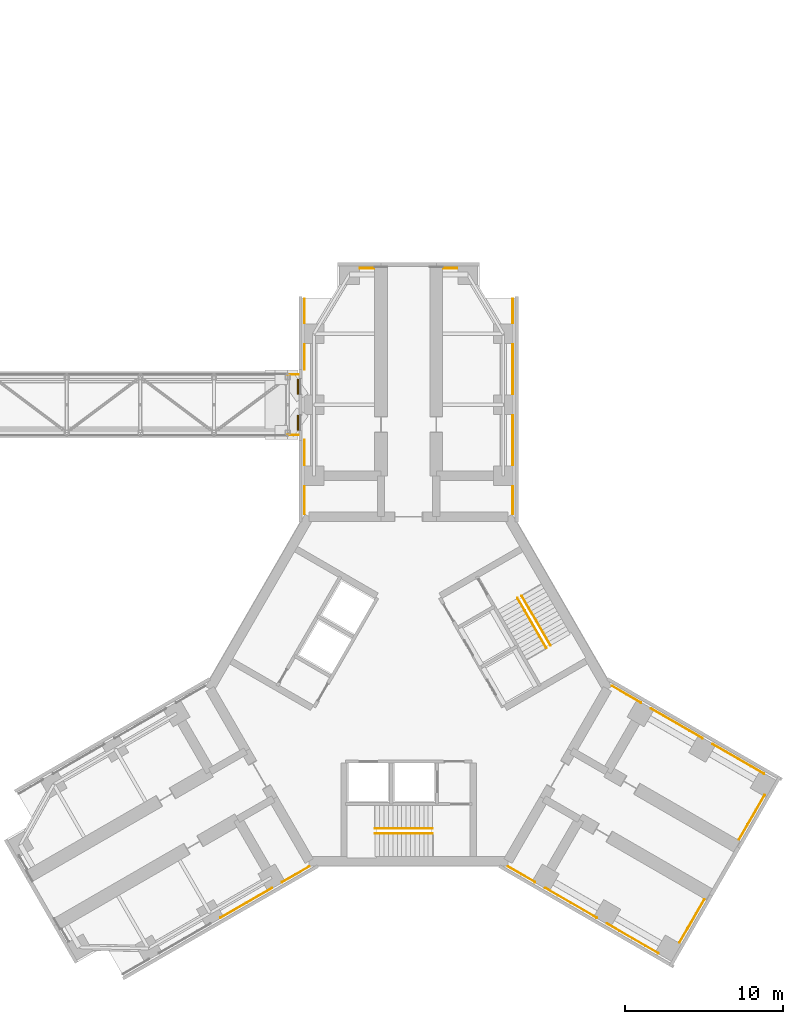
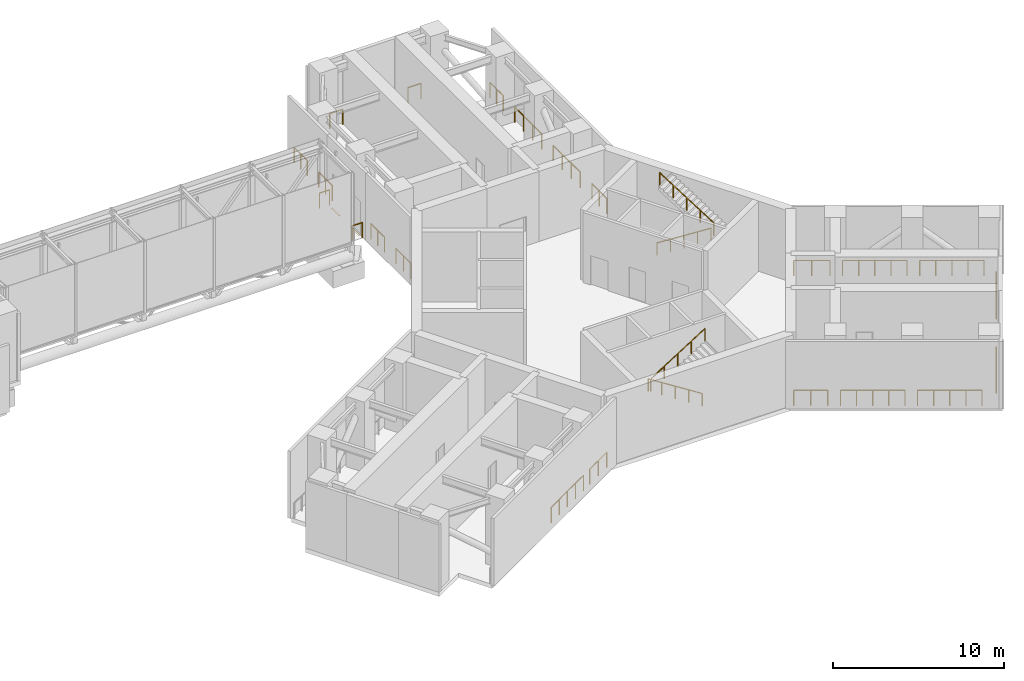
# One storey, part 15 of 15: 26 railings, 2 coverings.
"""IFC4 building model written with IfcOpenShell, lengths in metres."""

from ifc_helpers import new_model, si_unit, direction, frame, origin, origin_2d, place, context, subcontext, project, spatial, rectangle, circle, extrude, material, layer, layer_set, type_object, element, save


model = new_model("IFC4")

# Units and contexts
model_context = context("Model", 3, precision=1e-05, world=origin(), true_north=direction((0.0, 1.0)))
body_context = subcontext(model_context, "Body", "Model", "MODEL_VIEW")
ifc_project = project(units=[si_unit("LENGTHUNIT", "METRE"), si_unit("AREAUNIT", "SQUARE_METRE"), si_unit("VOLUMEUNIT", "CUBIC_METRE"), si_unit("PLANEANGLEUNIT", "RADIAN"), si_unit("MASSUNIT", "GRAM", prefix="KILO")], contexts=[model_context])

# Site, building, storey
site_placement = place(None, origin())
site = spatial("IfcSite", under=ifc_project, at=site_placement, CompositionType="ELEMENT")
building_placement = place(site_placement, origin())
building = spatial("IfcBuilding", under=site, at=building_placement, Name="Upepo Twin Towers", CompositionType="ELEMENT")
storey_placement = place(building_placement, frame((0.0, 0.0, 165.5)))
storey = spatial("IfcBuildingStorey", under=building, at=storey_placement, Name="L40", CompositionType="ELEMENT", Elevation=165.5)

# Coverings
ifc_material_1 = material(Name="Stainless steel 1.4401", Category="steel")
ifc_layer = layer(ifc_material_1, 0.02001953125)
ifc_layer_set = layer_set([ifc_layer], Name="Expansion joint sill plate 20 stainless steel")
covering_type = type_object("IfcCoveringType", Name="Expansion joint sill plate 20 stainless steel", PredefinedType="FLOORING", material=ifc_layer_set)
for number, where, z_axis, x_axis, name in (
    (1, (51.49755859375, -1.14990234375, -0.02001953125), (0.0, 0.0, 1.0), (1.0, 0.0, 0.0), "BR2 movement joint sill plate 1 at T2"),
    (2, (51.49755859375, 1.14990234375, -0.02001953125), (0.0, 0.0, 1.0), (1.0, 0.0, 0.0), "BR2 movement joint sill plate 2 at T2"),
):
    element("IfcCovering", number, at=place(storey_placement, frame(where, z_axis=z_axis, x_axis=x_axis)), inside=storey, type_object=covering_type, Name=name, PredefinedType="FLOORING", context=body_context, shape_type="SweptSolid", body=[
        extrude(rectangle(XDim=0.10498046875, YDim=0.949951171875, at=origin_2d()), origin(), (0.0, 0.0, 1.0), 0.02001953125),
    ])

# Railings
ifc_material_2 = material(Name="Stainless steel and glass", Category="steel")
railing_type_1 = type_object("IfcRailingType", Name="Guard 1100", PredefinedType="GUARDRAIL", material=ifc_material_2)
railing_1_placement = place(storey_placement, frame((51.89990234375, -6.914794921875, 0.0)))
element("IfcRailing", 3, at=railing_1_placement, inside=storey, type_object=railing_type_1, Name="T2 L40 open floor guard", PredefinedType="GUARDRAIL", context=body_context, shape_type="SweptSolid", body=[
    extrude(circle(Radius=0.02392578125, at=origin_2d()), frame((0.0, 0.0, 1.076171875), z_axis=(0.0, 1.0, 0.0), x_axis=(-1.0, 0.0, 0.0)), (0.0, 0.0, 1.0), 1.73974609375),
    extrude(circle(Radius=0.02099609375, at=origin_2d()), origin(), (0.0, 0.0, 1.0), 1.052001953125),
    extrude(circle(Radius=0.02099609375, at=origin_2d()), frame((0.0, 0.869873046875, 0.0)), (0.0, 0.0, 1.0), 1.052001953125),
    extrude(circle(Radius=0.02099609375, at=origin_2d()), frame((0.0, 1.73974609375, 0.0)), (0.0, 0.0, 1.0), 1.052001953125),
])
for number, where, name in (
    (4, (51.89990234375, -3.824951171875, 0.0), "T2 L40 open floor guard"),
    (5, (51.89990234375, 2.25, 0.0), "T2 L40 open floor guard"),
):
    element("IfcRailing", number, at=place(storey_placement, frame(where)), inside=storey, type_object=railing_type_1, Name=name, PredefinedType="GUARDRAIL", context=body_context, shape_type="SweptSolid", body=[
        extrude(circle(Radius=0.02392578125, at=origin_2d()), frame((0.0, 0.0, 1.076171875), z_axis=(0.0, 1.0, 0.0), x_axis=(-1.0, 0.0, 0.0)), (0.0, 0.0, 1.0), 1.574951171875),
        extrude(circle(Radius=0.02099609375, at=origin_2d()), origin(), (0.0, 0.0, 1.0), 1.052001953125),
        extrude(circle(Radius=0.02099609375, at=origin_2d()), frame((0.0, 0.78759765625, 0.0)), (0.0, 0.0, 1.0), 1.052001953125),
        extrude(circle(Radius=0.02099609375, at=origin_2d()), frame((0.0, 1.574951171875, 0.0)), (0.0, 0.0, 1.0), 1.052001953125),
    ])
railing_2_placement = place(storey_placement, frame((51.89990234375, 5.175048828125, 0.0)))
element("IfcRailing", 6, at=railing_2_placement, inside=storey, type_object=railing_type_1, Name="T2 L40 open floor guard", PredefinedType="GUARDRAIL", context=body_context, shape_type="SweptSolid", body=[
    extrude(circle(Radius=0.02392578125, at=origin_2d()), frame((0.0, 0.0, 1.076171875), z_axis=(0.0, 1.0, 0.0), x_axis=(-1.0, 0.0, 0.0)), (0.0, 0.0, 1.0), 1.52490234375),
    extrude(circle(Radius=0.02099609375, at=origin_2d()), origin(), (0.0, 0.0, 1.0), 1.052001953125),
    extrude(circle(Radius=0.02099609375, at=origin_2d()), frame((0.0, 0.762451171875, 0.0)), (0.0, 0.0, 1.0), 1.052001953125),
    extrude(circle(Radius=0.02099609375, at=origin_2d()), frame((0.0, 1.52490234375, 0.0)), (0.0, 0.0, 1.0), 1.052001953125),
])
railing_3_placement = place(storey_placement, frame((65.10009765625, -5.175048828125, 0.0)))
element("IfcRailing", 7, at=railing_3_placement, inside=storey, type_object=railing_type_1, Name="T2 L40 open floor guard", PredefinedType="GUARDRAIL", context=body_context, shape_type="SweptSolid", body=[
    extrude(circle(Radius=0.02392578125, at=origin_2d()), frame((0.0, 0.0, 1.076171875), z_axis=(0.0, -1.0, 0.0), x_axis=(1.0, 0.0, 0.0)), (0.0, 0.0, 1.0), 1.73974609375),
    extrude(circle(Radius=0.02099609375, at=origin_2d()), origin(), (0.0, 0.0, 1.0), 1.052001953125),
    extrude(circle(Radius=0.02099609375, at=origin_2d()), frame((0.0, -0.869873046875, 0.0)), (0.0, 0.0, 1.0), 1.052001953125),
    extrude(circle(Radius=0.02099609375, at=origin_2d()), frame((0.0, -1.73974609375, 0.0)), (0.0, 0.0, 1.0), 1.052001953125),
])
for number, where, name in (
    (8, (65.10009765625, -0.675048828125, 0.0), "T2 L40 open floor guard"),
    (9, (65.10009765625, 3.824951171875, 0.0), "T2 L40 open floor guard"),
):
    element("IfcRailing", number, at=place(storey_placement, frame(where)), inside=storey, type_object=railing_type_1, Name=name, PredefinedType="GUARDRAIL", context=body_context, shape_type="SweptSolid", body=[
        extrude(circle(Radius=0.02392578125, at=origin_2d()), frame((0.0, 0.0, 1.076171875), z_axis=(0.0, -1.0, 0.0), x_axis=(1.0, 0.0, 0.0)), (0.0, 0.0, 1.0), 3.14990234375),
        extrude(circle(Radius=0.02099609375, at=origin_2d()), origin(), (0.0, 0.0, 1.0), 1.052001953125),
        extrude(circle(Radius=0.02099609375, at=origin_2d()), frame((0.0, -1.050048828125, 0.0)), (0.0, 0.0, 1.0), 1.052001953125),
        extrude(circle(Radius=0.02099609375, at=origin_2d()), frame((0.0, -2.099853515625, 0.0)), (0.0, 0.0, 1.0), 1.052001953125),
        extrude(circle(Radius=0.02099609375, at=origin_2d()), frame((0.0, -3.14990234375, 0.0)), (0.0, 0.0, 1.0), 1.052001953125),
    ])
railing_4_placement = place(storey_placement, frame((65.10009765625, 6.699951171875, 0.0)))
element("IfcRailing", 10, at=railing_4_placement, inside=storey, type_object=railing_type_1, Name="T2 L40 open floor guard", PredefinedType="GUARDRAIL", context=body_context, shape_type="SweptSolid", body=[
    extrude(circle(Radius=0.02392578125, at=origin_2d()), frame((0.0, 0.0, 1.076171875), z_axis=(0.0, -1.0, 0.0), x_axis=(1.0, 0.0, 0.0)), (0.0, 0.0, 1.0), 1.52490234375),
    extrude(circle(Radius=0.02099609375, at=origin_2d()), origin(), (0.0, 0.0, 1.0), 1.052001953125),
    extrude(circle(Radius=0.02099609375, at=origin_2d()), frame((0.0, -0.762451171875, 0.0)), (0.0, 0.0, 1.0), 1.052001953125),
    extrude(circle(Radius=0.02099609375, at=origin_2d()), frame((0.0, -1.52490234375, 0.0)), (0.0, 0.0, 1.0), 1.052001953125),
])
for number, where, name in (
    (11, (61.574951171875, 8.64990234375, 0.0), "T2 L40 open floor guard"),
    (12, (56.300048828125, 8.64990234375, 0.0), "T2 L40 open floor guard"),
):
    element("IfcRailing", number, at=place(storey_placement, frame(where)), inside=storey, type_object=railing_type_1, Name=name, PredefinedType="GUARDRAIL", context=body_context, shape_type="SweptSolid", body=[
        extrude(circle(Radius=0.02392578125, at=origin_2d()), frame((0.0, 0.0, 1.076171875), z_axis=(-1.0, 0.0, 0.0), x_axis=(0.0, -1.0, 0.0)), (0.0, 0.0, 1.0), 0.875),
        extrude(circle(Radius=0.02099609375, at=origin_2d()), origin(), (0.0, 0.0, 1.0), 1.052001953125),
        extrude(circle(Radius=0.02099609375, at=origin_2d()), frame((-0.875, 0.0, 0.0)), (0.0, 0.0, 1.0), 1.052001953125),
    ])
railing_5_placement = place(storey_placement, frame((49.839599609375, -30.62109375, 0.0)))
element("IfcRailing", 13, at=railing_5_placement, inside=storey, type_object=railing_type_1, Name="T2 L40 open floor guard", PredefinedType="GUARDRAIL", context=body_context, shape_type="SweptSolid", body=[
    extrude(circle(Radius=0.02392578125, at=origin_2d()), frame((0.0, 0.0, 1.076171875), z_axis=(-0.866030816627, -0.499990624564, 0.0), x_axis=(0.499990624564, -0.866030816627, 0.0)), (0.0, 0.0, 1.0), 3.75634765625),
    extrude(circle(Radius=0.02099609375, at=origin_2d()), origin(), (0.0, 0.0, 1.0), 1.052001953125),
    extrude(circle(Radius=0.02099609375, at=origin_2d()), frame((-0.813232421875, -0.469482421875, 0.0)), (0.0, 0.0, 1.0), 1.052001953125),
    extrude(circle(Radius=0.02099609375, at=origin_2d()), frame((-1.62646484375, -0.93896484375, 0.0)), (0.0, 0.0, 1.0), 1.052001953125),
    extrude(circle(Radius=0.02099609375, at=origin_2d()), frame((-2.43994140625, -1.40869140625, 0.0)), (0.0, 0.0, 1.0), 1.052001953125),
    extrude(circle(Radius=0.02099609375, at=origin_2d()), frame((-3.253173828125, -1.878173828125, 0.0)), (0.0, 0.0, 1.0), 1.052001953125),
])
railing_6_placement = place(storey_placement, frame((52.199951171875, -29.25830078125, 0.0)))
element("IfcRailing", 14, at=railing_6_placement, inside=storey, type_object=railing_type_1, Name="T2 L40 open floor guard", PredefinedType="GUARDRAIL", context=body_context, shape_type="SweptSolid", body=[
    extrude(circle(Radius=0.02392578125, at=origin_2d()), frame((0.0, 0.0, 1.076171875), z_axis=(-0.866013262469, -0.500021028785, 0.0), x_axis=(0.500021028785, -0.866013262469, 0.0)), (0.0, 0.0, 1.0), 1.98193359375),
    extrude(circle(Radius=0.02099609375, at=origin_2d()), origin(), (0.0, 0.0, 1.0), 1.052001953125),
    extrude(circle(Radius=0.02099609375, at=origin_2d()), frame((-0.858154296875, -0.49560546875, 0.0)), (0.0, 0.0, 1.0), 1.052001953125),
    extrude(circle(Radius=0.02099609375, at=origin_2d()), frame((-1.71630859375, -0.990966796875, 0.0)), (0.0, 0.0, 1.0), 1.052001953125),
])
railing_7_placement = place(storey_placement, frame((71.39990234375, -17.826904296875, 0.0)))
element("IfcRailing", 15, at=railing_7_placement, inside=storey, type_object=railing_type_1, Name="T2 L40 open floor guard", PredefinedType="GUARDRAIL", context=body_context, shape_type="SweptSolid", body=[
    extrude(circle(Radius=0.02392578125, at=origin_2d()), frame((0.0, 0.0, 1.076171875), z_axis=(0.86604260665, -0.49997020258, 0.0), x_axis=(0.49997020258, 0.86604260665, 0.0)), (0.0, 0.0, 1.0), 2.104248046875),
    extrude(circle(Radius=0.02099609375, at=origin_2d()), origin(), (0.0, 0.0, 1.0), 1.052001953125),
    extrude(circle(Radius=0.02099609375, at=origin_2d()), frame((0.9111328125, -0.52587890625, 0.0)), (0.0, 0.0, 1.0), 1.052001953125),
    extrude(circle(Radius=0.02099609375, at=origin_2d()), frame((1.822265625, -1.052001953125, 0.0)), (0.0, 0.0, 1.0), 1.052001953125),
])
for number, where, name in (
    (16, (73.866455078125, -19.250732421875, 0.0), "T2 L40 open floor guard"),
    (17, (77.763427734375, -21.500732421875, 0.0), "T2 L40 open floor guard"),
):
    element("IfcRailing", number, at=place(storey_placement, frame(where)), inside=storey, type_object=railing_type_1, Name=name, PredefinedType="GUARDRAIL", context=body_context, shape_type="SweptSolid", body=[
        extrude(circle(Radius=0.02392578125, at=origin_2d()), frame((0.0, 0.0, 1.076171875), z_axis=(0.866014567632, -0.500018768297, 0.0), x_axis=(0.500018768297, 0.866014567632, 0.0)), (0.0, 0.0, 1.0), 3.756103515625),
        extrude(circle(Radius=0.02099609375, at=origin_2d()), origin(), (0.0, 0.0, 1.0), 1.052001953125),
        extrude(circle(Radius=0.02099609375, at=origin_2d()), frame((0.813232421875, -0.469482421875, 0.0)), (0.0, 0.0, 1.0), 1.052001953125),
        extrude(circle(Radius=0.02099609375, at=origin_2d()), frame((1.62646484375, -0.93896484375, 0.0)), (0.0, 0.0, 1.0), 1.052001953125),
        extrude(circle(Radius=0.02099609375, at=origin_2d()), frame((2.439697265625, -1.40869140625, 0.0)), (0.0, 0.0, 1.0), 1.052001953125),
        extrude(circle(Radius=0.02099609375, at=origin_2d()), frame((3.2529296875, -1.878173828125, 0.0)), (0.0, 0.0, 1.0), 1.052001953125),
    ])
railing_8_placement = place(storey_placement, frame((66.516357421875, -30.249267578125, 0.0)))
element("IfcRailing", 18, at=railing_8_placement, inside=storey, type_object=railing_type_1, Name="T2 L40 open floor guard", PredefinedType="GUARDRAIL", context=body_context, shape_type="SweptSolid", body=[
    extrude(circle(Radius=0.02392578125, at=origin_2d()), frame((0.0, 0.0, 1.076171875), z_axis=(-0.866013262469, 0.500021028785, 0.0), x_axis=(-0.500021028785, -0.866013262469, 0.0)), (0.0, 0.0, 1.0), 1.98193359375),
    extrude(circle(Radius=0.02099609375, at=origin_2d()), origin(), (0.0, 0.0, 1.0), 1.052001953125),
    extrude(circle(Radius=0.02099609375, at=origin_2d()), frame((-0.858154296875, 0.49560546875, 0.0)), (0.0, 0.0, 1.0), 1.052001953125),
    extrude(circle(Radius=0.02099609375, at=origin_2d()), frame((-1.71630859375, 0.990966796875, 0.0)), (0.0, 0.0, 1.0), 1.052001953125),
])
railing_9_placement = place(storey_placement, frame((70.41357421875, -32.499267578125, 0.0)))
element("IfcRailing", 19, at=railing_9_placement, inside=storey, type_object=railing_type_1, Name="T2 L40 open floor guard", PredefinedType="GUARDRAIL", context=body_context, shape_type="SweptSolid", body=[
    extrude(circle(Radius=0.02392578125, at=origin_2d()), frame((0.0, 0.0, 1.076171875), z_axis=(-0.866030816627, 0.499990624564, 0.0), x_axis=(-0.499990624564, -0.866030816627, 0.0)), (0.0, 0.0, 1.0), 3.75634765625),
    extrude(circle(Radius=0.02099609375, at=origin_2d()), origin(), (0.0, 0.0, 1.0), 1.052001953125),
    extrude(circle(Radius=0.02099609375, at=origin_2d()), frame((-0.813232421875, 0.469482421875, 0.0)), (0.0, 0.0, 1.0), 1.052001953125),
    extrude(circle(Radius=0.02099609375, at=origin_2d()), frame((-1.62646484375, 0.93896484375, 0.0)), (0.0, 0.0, 1.0), 1.052001953125),
    extrude(circle(Radius=0.02099609375, at=origin_2d()), frame((-2.43994140625, 1.40869140625, 0.0)), (0.0, 0.0, 1.0), 1.052001953125),
    extrude(circle(Radius=0.02099609375, at=origin_2d()), frame((-3.253173828125, 1.878173828125, 0.0)), (0.0, 0.0, 1.0), 1.052001953125),
])
railing_10_placement = place(storey_placement, frame((74.310546875, -34.749267578125, 0.0)))
element("IfcRailing", 20, at=railing_10_placement, inside=storey, type_object=railing_type_1, Name="T2 L40 open floor guard", PredefinedType="GUARDRAIL", context=body_context, shape_type="SweptSolid", body=[
    extrude(circle(Radius=0.02392578125, at=origin_2d()), frame((0.0, 0.0, 1.076171875), z_axis=(-0.866014567632, 0.500018768297, 0.0), x_axis=(-0.500018768297, -0.866014567632, 0.0)), (0.0, 0.0, 1.0), 3.756103515625),
    extrude(circle(Radius=0.02099609375, at=origin_2d()), origin(), (0.0, 0.0, 1.0), 1.052001953125),
    extrude(circle(Radius=0.02099609375, at=origin_2d()), frame((-0.813232421875, 0.469482421875, 0.0)), (0.0, 0.0, 1.0), 1.052001953125),
    extrude(circle(Radius=0.02099609375, at=origin_2d()), frame((-1.62646484375, 0.93896484375, 0.0)), (0.0, 0.0, 1.0), 1.052001953125),
    extrude(circle(Radius=0.02099609375, at=origin_2d()), frame((-2.439697265625, 1.40869140625, 0.0)), (0.0, 0.0, 1.0), 1.052001953125),
    extrude(circle(Radius=0.02099609375, at=origin_2d()), frame((-3.2529296875, 1.878173828125, 0.0)), (0.0, 0.0, 1.0), 1.052001953125),
])
railing_11_placement = place(storey_placement, frame((75.66064453125, -34.076904296875, 0.0)))
element("IfcRailing", 21, at=railing_11_placement, inside=storey, type_object=railing_type_1, Name="T2 L40 open floor guard", PredefinedType="GUARDRAIL", context=body_context, shape_type="SweptSolid", body=[
    extrude(circle(Radius=0.02392578125, at=origin_2d()), frame((0.0, 0.0, 1.076171875), z_axis=(0.499982474044, 0.866035522163, 0.0), x_axis=(-0.866035522163, 0.499982474044, 0.0)), (0.0, 0.0, 1.0), 3.142578125),
    extrude(circle(Radius=0.02099609375, at=origin_2d()), origin(), (0.0, 0.0, 1.0), 1.052001953125),
    extrude(circle(Radius=0.02099609375, at=origin_2d()), frame((0.523681640625, 0.9072265625, 0.0)), (0.0, 0.0, 1.0), 1.052001953125),
    extrude(circle(Radius=0.02099609375, at=origin_2d()), frame((1.047607421875, 1.814453125, 0.0)), (0.0, 0.0, 1.0), 1.052001953125),
    extrude(circle(Radius=0.02099609375, at=origin_2d()), frame((1.5712890625, 2.7216796875, 0.0)), (0.0, 0.0, 1.0), 1.052001953125),
])
railing_12_placement = place(storey_placement, frame((79.431884765625, -27.544677734375, 0.0)))
element("IfcRailing", 22, at=railing_12_placement, inside=storey, type_object=railing_type_1, Name="T2 L40 open floor guard", PredefinedType="GUARDRAIL", context=body_context, shape_type="SweptSolid", body=[
    extrude(circle(Radius=0.02392578125, at=origin_2d()), frame((0.0, 0.0, 1.076171875), z_axis=(0.500047413384, 0.865998027924, 0.0), x_axis=(-0.865998027924, 0.500047413384, 0.0)), (0.0, 0.0, 1.0), 3.251708984375),
    extrude(circle(Radius=0.02099609375, at=origin_2d()), origin(), (0.0, 0.0, 1.0), 1.052001953125),
    extrude(circle(Radius=0.02099609375, at=origin_2d()), frame((0.5419921875, 0.938720703125, 0.0)), (0.0, 0.0, 1.0), 1.052001953125),
    extrude(circle(Radius=0.02099609375, at=origin_2d()), frame((1.083984375, 1.877197265625, 0.0)), (0.0, 0.0, 1.0), 1.052001953125),
    extrude(circle(Radius=0.02099609375, at=origin_2d()), frame((1.6259765625, 2.81591796875, 0.0)), (0.0, 0.0, 1.0), 1.052001953125),
])
for number, where, name in (
    (23, (50.840087890625, 1.919921875, 0.02001953125), "BR2 movement joint guard N"),
    (24, (50.840087890625, -1.919921875, 0.02001953125), "BR2 movement joint guard S"),
):
    element("IfcRailing", number, at=place(storey_placement, frame(where)), inside=storey, type_object=railing_type_1, Name=name, PredefinedType="GUARDRAIL", context=body_context, shape_type="SweptSolid", body=[
        extrude(circle(Radius=0.02392578125, at=origin_2d()), frame((0.0, 0.0, 1.076171875), z_axis=(1.0, 0.0, 0.0), x_axis=(0.0, 1.0, 0.0)), (0.0, 0.0, 1.0), 0.6748046875),
        extrude(circle(Radius=0.02099609375, at=origin_2d()), origin(), (0.0, 0.0, 1.0), 1.052001953125),
        extrude(circle(Radius=0.02099609375, at=origin_2d()), frame((0.6748046875, 0.0, 0.0)), (0.0, 0.0, 1.0), 1.052001953125),
    ])
ifc_material_3 = material(Name="Stainless steel", Category="steel")
railing_type_2 = type_object("IfcRailingType", Name="Stair handrail 900", PredefinedType="HANDRAIL", material=ifc_material_3)
railing_13_placement = place(storey_placement, frame((60.02001953125, -26.85009765625, 0.178466796875)))
element("IfcRailing", 25, at=railing_13_placement, inside=storey, type_object=railing_type_2, Name="T2 stair S1 L40 handrail 1", PredefinedType="HANDRAIL", context=body_context, shape_type="SweptSolid", body=[
    extrude(circle(Radius=0.02392578125, at=origin_2d()), frame((0.0, 0.0, 0.8759765625), z_axis=(-0.843127859045, 0.0, 0.537713132908), x_axis=(0.0, -1.0, 0.0)), (0.0, 0.0, 1.0), 4.3173828125),
    extrude(circle(Radius=0.02099609375, at=origin_2d()), origin(), (0.0, 0.0, 1.0), 0.851806640625),
    extrude(circle(Radius=0.02099609375, at=origin_2d()), frame((-0.91015625, 0.0, 0.580322265625)), (0.0, 0.0, 1.0), 0.851806640625),
    extrude(circle(Radius=0.02099609375, at=origin_2d()), frame((-1.820068359375, 0.0, 1.16064453125)), (0.0, 0.0, 1.0), 0.851806640625),
    extrude(circle(Radius=0.02099609375, at=origin_2d()), frame((-2.72998046875, 0.0, 1.7412109375)), (0.0, 0.0, 1.0), 0.851806640625),
    extrude(circle(Radius=0.02099609375, at=origin_2d()), frame((-3.64013671875, 0.0, 2.321533203125)), (0.0, 0.0, 1.0), 0.851806640625),
])
railing_14_placement = place(storey_placement, frame((56.3798828125, -27.158447265625, 2.678466796875)))
element("IfcRailing", 26, at=railing_14_placement, inside=storey, type_object=railing_type_2, Name="T2 stair S1 L40 handrail 2", PredefinedType="HANDRAIL", context=body_context, shape_type="SweptSolid", body=[
    extrude(circle(Radius=0.02392578125, at=origin_2d()), frame((0.0, 0.0, 0.8759765625), z_axis=(0.843127859045, 0.0, 0.537713132908), x_axis=(0.0, 1.0, 0.0)), (0.0, 0.0, 1.0), 4.3173828125),
    extrude(circle(Radius=0.02099609375, at=origin_2d()), origin(), (0.0, 0.0, 1.0), 0.851806640625),
    extrude(circle(Radius=0.02099609375, at=origin_2d()), frame((0.91015625, 0.0, 0.580322265625)), (0.0, 0.0, 1.0), 0.851806640625),
    extrude(circle(Radius=0.02099609375, at=origin_2d()), frame((1.820068359375, 0.0, 1.16064453125)), (0.0, 0.0, 1.0), 0.851806640625),
    extrude(circle(Radius=0.02099609375, at=origin_2d()), frame((2.72998046875, 0.0, 1.7412109375)), (0.0, 0.0, 1.0), 0.851806640625),
    extrude(circle(Radius=0.02099609375, at=origin_2d()), frame((3.64013671875, 0.0, 2.321533203125)), (0.0, 0.0, 1.0), 0.851806640625),
])
railing_15_placement = place(storey_placement, frame((65.404296875, -12.258544921875, 0.178466796875)))
element("IfcRailing", 27, at=railing_15_placement, inside=storey, type_object=railing_type_2, Name="T2 stair S2 L40 handrail 1", PredefinedType="HANDRAIL", context=body_context, shape_type="SweptSolid", body=[
    extrude(circle(Radius=0.02392578125, at=origin_2d()), frame((0.0, 0.0, 0.8759765625), z_axis=(0.421571566915, -0.730158560966, 0.537722874553), x_axis=(0.866018046521, 0.500012742938, 0.0)), (0.0, 0.0, 1.0), 4.3173828125),
    extrude(circle(Radius=0.02099609375, at=origin_2d()), origin(), (0.0, 0.0, 1.0), 0.851806640625),
    extrude(circle(Radius=0.02099609375, at=origin_2d()), frame((0.455078125, -0.7880859375, 0.580322265625)), (0.0, 0.0, 1.0), 0.851806640625),
    extrude(circle(Radius=0.02099609375, at=origin_2d()), frame((0.91015625, -1.576171875, 1.16064453125)), (0.0, 0.0, 1.0), 0.851806640625),
    extrude(circle(Radius=0.02099609375, at=origin_2d()), frame((1.364990234375, -2.3642578125, 1.7412109375)), (0.0, 0.0, 1.0), 0.851806640625),
    extrude(circle(Radius=0.02099609375, at=origin_2d()), frame((1.820068359375, -3.15234375, 2.321533203125)), (0.0, 0.0, 1.0), 0.851806640625),
])
railing_16_placement = place(storey_placement, frame((67.491455078125, -15.2568359375, 2.678466796875)))
element("IfcRailing", 28, at=railing_16_placement, inside=storey, type_object=railing_type_2, Name="T2 stair S2 L40 handrail 2", PredefinedType="HANDRAIL", context=body_context, shape_type="SweptSolid", body=[
    extrude(circle(Radius=0.02392578125, at=origin_2d()), frame((0.0, 0.0, 0.8759765625), z_axis=(-0.421571566915, 0.730158560966, 0.537722874553), x_axis=(-0.866018046521, -0.500012742938, 0.0)), (0.0, 0.0, 1.0), 4.3173828125),
    extrude(circle(Radius=0.02099609375, at=origin_2d()), origin(), (0.0, 0.0, 1.0), 0.851806640625),
    extrude(circle(Radius=0.02099609375, at=origin_2d()), frame((-0.455078125, 0.7880859375, 0.580322265625)), (0.0, 0.0, 1.0), 0.851806640625),
    extrude(circle(Radius=0.02099609375, at=origin_2d()), frame((-0.91015625, 1.576171875, 1.16064453125)), (0.0, 0.0, 1.0), 0.851806640625),
    extrude(circle(Radius=0.02099609375, at=origin_2d()), frame((-1.364990234375, 2.3642578125, 1.7412109375)), (0.0, 0.0, 1.0), 0.851806640625),
    extrude(circle(Radius=0.02099609375, at=origin_2d()), frame((-1.820068359375, 3.15234375, 2.321533203125)), (0.0, 0.0, 1.0), 0.851806640625),
])

save(model, "model.ifc")
